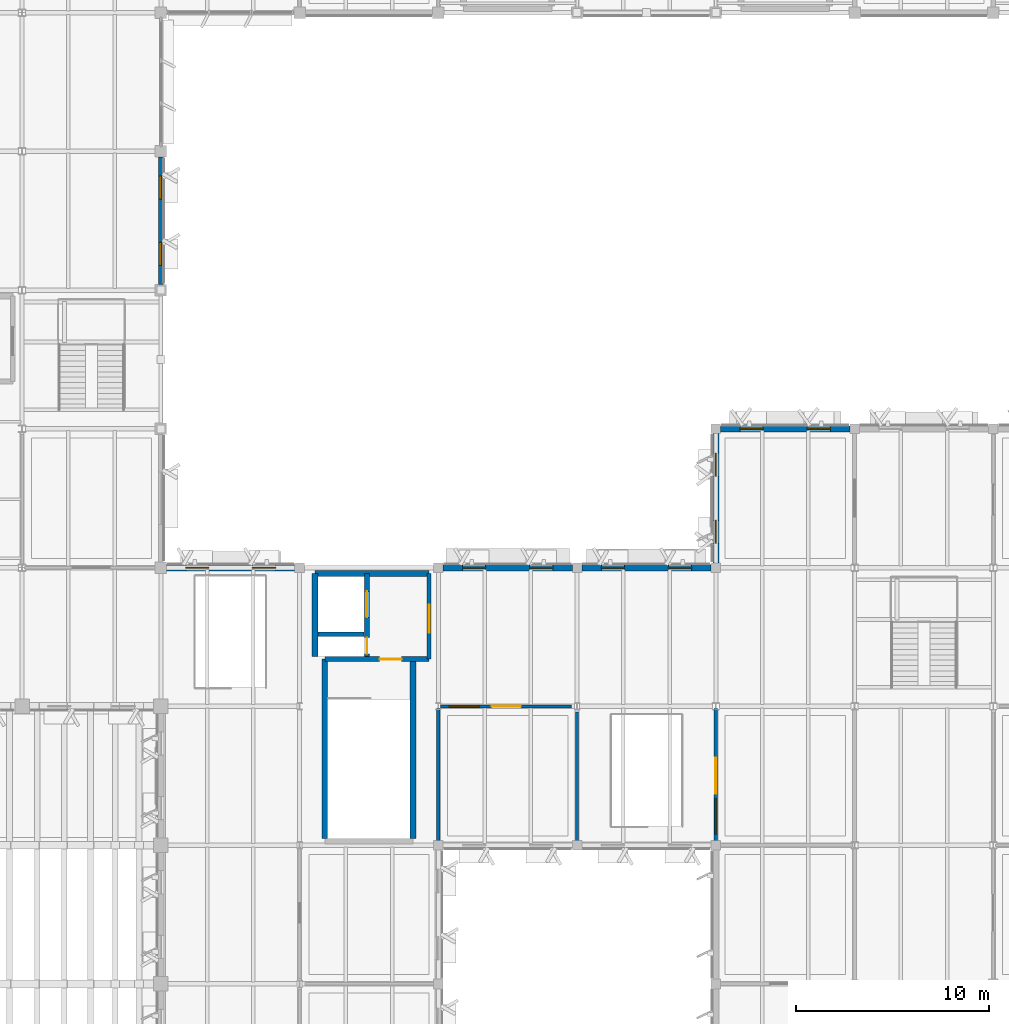
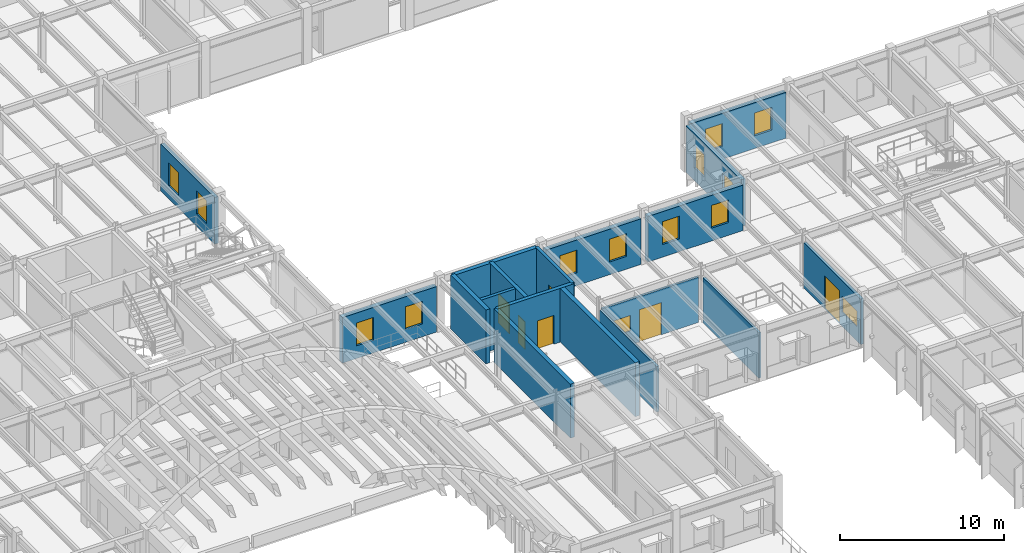
# One storey, part 34 of 85: 18 walls, 14 windows, 6 doors, 20 openings.
"""IFC4 building model written with IfcOpenShell, lengths in metres."""

from ifc_helpers import new_model, si_unit, direction, frame, frame_2d, origin, place, context, subcontext, project, spatial, rectangle, extrude, material, layer, layer_set, type_object, element, fill, save


model = new_model("IFC4")

# Units and contexts
model_context = context("Model", 3, precision=1e-05, world=origin(), true_north=direction((0.0, 1.0)))
body_context = subcontext(model_context, "Body", "Model", "MODEL_VIEW")
ifc_project = project(units=[si_unit("LENGTHUNIT", "METRE"), si_unit("AREAUNIT", "SQUARE_METRE"), si_unit("VOLUMEUNIT", "CUBIC_METRE"), si_unit("PLANEANGLEUNIT", "RADIAN"), si_unit("MASSUNIT", "GRAM", prefix="KILO")], contexts=[model_context])

# Site, building, storey
site_placement = place(None, origin())
site = spatial("IfcSite", under=ifc_project, at=site_placement, CompositionType="ELEMENT")
building_placement = place(site_placement, origin())
building = spatial("IfcBuilding", under=site, at=building_placement, Name="Sillqori Civic Hall", CompositionType="ELEMENT")
storey_placement = place(building_placement, frame((0.0, 0.0, 9.89990234375)))
storey = spatial("IfcBuildingStorey", under=building, at=storey_placement, Name="L03", CompositionType="ELEMENT", Elevation=9.89990234375)

# Wall
ifc_material_1 = material(Name="Concrete C35/45 (H35)", Category="concrete")
ifc_layer_1 = layer(ifc_material_1, 0.219970703125)
ifc_layer_set_1 = layer_set([ifc_layer_1], Name="Concrete C35/45 (H35)")
wall_type_1 = type_object("IfcWallType", Name="CW-SHR-220", PredefinedType="SHEAR", material=ifc_layer_set_1)
wall_1_placement = place(storey_placement, frame((44.14990234375, 46.949951171875, 0.0), z_axis=(0.0, 0.0, 1.0), x_axis=(1.0, 0.0, 0.0)))
element("IfcWall", 1, at=wall_1_placement, inside=storey, type_object=wall_type_1, Name="L03 C1 Lift-riser divider wall", PredefinedType="SHEAR", context=body_context, shape_type="SweptSolid", body=[
    extrude(rectangle(XDim=2.400146484375, YDim=0.219970703125, at=frame_2d((1.2001953125, 0.0))), origin(), (0.0, 0.0, 1.0), 4.02001953125),
])

# Wall, opening, door
wall_2_placement = place(storey_placement, frame((49.919921875, 50.10009765625, 0.0), z_axis=(0.0, 0.0, 1.0), x_axis=(0.0, -1.0, 0.0)))
wall_2 = element("IfcWall", 2, at=wall_2_placement, inside=storey, type_object=wall_type_1, Name="L03 C1 firefighting lobby enclosure wall", PredefinedType="SHEAR", context=body_context, shape_type="SweptSolid", body=[
    extrude(rectangle(XDim=4.4501953125, YDim=0.219970703125, at=frame_2d((2.22509765625, 0.0))), origin(), (0.0, 0.0, 1.0), 4.02001953125),
])
opening_1_placement = place(wall_2_placement, frame((1.625, 0.0, 0.0)))
opening_1 = element("IfcOpeningElement", 3, at=opening_1_placement, cuts=wall_2, Name="Opening FD-03", PredefinedType="OPENING", context=body_context, shape_type="SweptSolid", body=[
    extrude(rectangle(XDim=1.449951171875, YDim=2.199951171875, at=frame_2d((0.72509765625, 1.10009765625))), frame((0.0, 0.119873046875, 0.0), z_axis=(0.0, -1.0, 0.0), x_axis=(1.0, 0.0, 0.0)), (0.0, 0.0, 1.0), 0.239990234375),
])
ifc_material_2 = material(Name="Double-Leaf Smoke-Seal Lobby Door", Category="steel")
door_type_1 = type_object("IfcDoorType", Name="FDR-LOB-145X220", OperationType="NOTDEFINED", PredefinedType="DOOR", material=ifc_material_2)
door_1_placement = place(opening_1_placement, origin())
door_1 = element("IfcDoor", 4, at=door_1_placement, inside=storey, type_object=door_type_1, Name="L03 C1 firefighting lobby exit door", OperationType="DOUBLE_DOOR_SINGLE_SWING", OverallHeight=2.199951171875, OverallWidth=1.449951171875, PredefinedType="DOOR", context=body_context, shape_type="SweptSolid", body=[
    extrude(rectangle(XDim=1.449951171875, YDim=2.199951171875, at=frame_2d((0.72509765625, 1.10009765625))), frame((0.0, 0.02490234375, 0.0), z_axis=(0.0, -1.0, 0.0), x_axis=(1.0, 0.0, 0.0)), (0.0, 0.0, 1.0), 0.050048828125),
])
fill(opening_1, door_1)

ifc_layer_2 = layer(ifc_material_1, 0.260009765625)
ifc_layer_set_2 = layer_set([ifc_layer_2], Name="Concrete C35/45 (H35)")
wall_type_2 = type_object("IfcWallType", Name="CW-SHR-260", PredefinedType="SHEAR", material=ifc_layer_set_2)
wall_3_placement = place(storey_placement, frame((44.510009765625, 45.64990234375, 0.0), z_axis=(0.0, 0.0, 1.0), x_axis=(1.0, 0.0, 0.0)))
wall_3 = element("IfcWall", 5, at=wall_3_placement, inside=storey, type_object=wall_type_2, Name="L03 C1 Stair-lobby fire wall", PredefinedType="SHEAR", context=body_context, shape_type="SweptSolid", body=[
    extrude(rectangle(XDim=5.409912109375, YDim=0.260009765625, at=frame_2d((2.705078125, 0.0))), origin(), (0.0, 0.0, 1.0), 4.02001953125),
])
opening_2_placement = place(wall_3_placement, frame((2.840087890625, 0.0, 0.0)))
opening_2 = element("IfcOpeningElement", 6, at=opening_2_placement, cuts=wall_3, Name="Opening FD-01", PredefinedType="OPENING", context=body_context, shape_type="SweptSolid", body=[
    extrude(rectangle(XDim=1.14990234375, YDim=2.14990234375, at=frame_2d((0.574951171875, 1.074951171875))), frame((0.0, 0.139892578125, 0.0), z_axis=(0.0, -1.0, 0.0), x_axis=(1.0, 0.0, 0.0)), (0.0, 0.0, 1.0), 0.280029296875),
])
ifc_material_3 = material(Name="Galvanized Steel Fire Door FD90S", Category="steel")
door_type_2 = type_object("IfcDoorType", Name="FDR-STR-115X215", OperationType="NOTDEFINED", PredefinedType="DOOR", material=ifc_material_3)
door_2_placement = place(opening_2_placement, origin())
door_2 = element("IfcDoor", 7, at=door_2_placement, inside=storey, type_object=door_type_2, Name="L03 stair ST-01 fire door", OperationType="SINGLE_SWING_RIGHT", OverallHeight=2.14990234375, OverallWidth=1.14990234375, PredefinedType="DOOR", context=body_context, shape_type="SweptSolid", body=[
    extrude(rectangle(XDim=1.14990234375, YDim=2.14990234375, at=frame_2d((0.574951171875, 1.074951171875))), frame((0.0, 0.02490234375, 0.0), z_axis=(0.0, -1.0, 0.0), x_axis=(1.0, 0.0, 0.0)), (0.0, 0.0, 1.0), 0.050048828125),
])
fill(opening_2, door_2)

# Wall, openings, doors
wall_4_placement = place(storey_placement, frame((46.699951171875, 50.10009765625, 0.0), z_axis=(0.0, 0.0, 1.0), x_axis=(0.0, -1.0, 0.0)))
wall_4 = element("IfcWall", 8, at=wall_4_placement, inside=storey, type_object=wall_type_2, Name="L03 C1 Lift landing & riser front wall", PredefinedType="SHEAR", context=body_context, shape_type="SweptSolid", body=[
    extrude(rectangle(XDim=4.320068359375, YDim=0.260009765625, at=frame_2d((2.16015625, 0.0))), origin(), (0.0, 0.0, 1.0), 4.02001953125),
])
opening_3_placement = place(wall_4_placement, frame((0.925048828125, 0.0, 0.0)))
opening_3 = element("IfcOpeningElement", 9, at=opening_3_placement, cuts=wall_4, Name="Opening LD-03", PredefinedType="OPENING", context=body_context, shape_type="SweptSolid", body=[
    extrude(rectangle(XDim=1.35009765625, YDim=2.199951171875, at=frame_2d((0.675048828125, 1.10009765625))), frame((0.0, 0.139892578125, 0.0), z_axis=(0.0, -1.0, 0.0), x_axis=(1.0, 0.0, 0.0)), (0.0, 0.0, 1.0), 0.280029296875),
])
opening_4_placement = place(wall_4_placement, frame((3.324951171875, 0.0, 0.0)))
opening_4 = element("IfcOpeningElement", 10, at=opening_4_placement, cuts=wall_4, Name="Opening FD-05", PredefinedType="OPENING", context=body_context, shape_type="SweptSolid", body=[
    extrude(rectangle(XDim=0.85009765625, YDim=2.050048828125, at=frame_2d((0.425048828125, 1.02490234375))), frame((0.0, 0.139892578125, 0.0), z_axis=(0.0, -1.0, 0.0), x_axis=(1.0, 0.0, 0.0)), (0.0, 0.0, 1.0), 0.280029296875),
])
ifc_material_4 = material(Name="Steel Riser Access Fire Door", Category="steel")
door_type_3 = type_object("IfcDoorType", Name="FDR-RSR-085X205", OperationType="NOTDEFINED", PredefinedType="DOOR", material=ifc_material_4)
door_3_placement = place(opening_4_placement, origin())
door_3 = element("IfcDoor", 11, at=door_3_placement, inside=storey, type_object=door_type_3, Name="L03 MEP riser C1 fire access door", OperationType="SINGLE_SWING_LEFT", OverallHeight=2.050048828125, OverallWidth=0.85009765625, PredefinedType="DOOR", context=body_context, shape_type="SweptSolid", body=[
    extrude(rectangle(XDim=0.85009765625, YDim=2.050048828125, at=frame_2d((0.425048828125, 1.02490234375))), frame((0.0, 0.02490234375, 0.0), z_axis=(0.0, -1.0, 0.0), x_axis=(1.0, 0.0, 0.0)), (0.0, 0.0, 1.0), 0.050048828125),
])
fill(opening_4, door_3)
ifc_material_5 = material(Name="Service Freight Lift Landing Door", Category="steel")
door_type_4 = type_object("IfcDoorType", Name="LDR-SERV-135X220", OperationType="NOTDEFINED", PredefinedType="DOOR", material=ifc_material_5)
door_4_placement = place(opening_3_placement, origin())
door_4 = element("IfcDoor", 12, at=door_4_placement, inside=storey, type_object=door_type_4, Name="L03 lift LF-07 sliding landing door", OperationType="DOUBLE_DOOR_SLIDING", OverallHeight=2.199951171875, OverallWidth=1.35009765625, PredefinedType="DOOR", context=body_context, shape_type="SweptSolid", body=[
    extrude(rectangle(XDim=1.35009765625, YDim=2.199951171875, at=frame_2d((0.675048828125, 1.10009765625))), frame((0.0, 0.02490234375, 0.0), z_axis=(0.0, -1.0, 0.0), x_axis=(1.0, 0.0, 0.0)), (0.0, 0.0, 1.0), 0.050048828125),
])
fill(opening_3, door_4)

# Walls
ifc_layer_3 = layer(ifc_material_1, 0.300048828125)
ifc_layer_set_3 = layer_set([ifc_layer_3], Name="Concrete C35/45 (H35)")
wall_type_3 = type_object("IfcWallType", Name="CW-SHR-300", PredefinedType="SHEAR", material=ifc_layer_set_3)
for number, where, z_axis, x_axis, name in (
    (13, (44.510009765625, 36.35009765625, 0.0), (0.0, 0.0, 1.0), (0.0, 1.0, 0.0), "L03 C1 Stair west shear wall"),
    (14, (49.090087890625, 36.35009765625, 0.0), (0.0, 0.0, 1.0), (0.0, 1.0, 0.0), "L03 C1 Stair east shear wall"),
):
    element("IfcWall", number, at=place(storey_placement, frame(where, z_axis=z_axis, x_axis=x_axis)), inside=storey, type_object=wall_type_3, Name=name, PredefinedType="SHEAR", context=body_context, shape_type="SweptSolid", body=[
        extrude(rectangle(XDim=9.2998046875, YDim=0.300048828125, at=frame_2d((4.64990234375, 0.0))), origin(), (0.0, 0.0, 1.0), 4.02001953125),
    ])
wall_5_placement = place(storey_placement, frame((44.0, 45.780029296875, 0.0), z_axis=(0.0, 0.0, 1.0), x_axis=(0.0, 1.0, 0.0)))
element("IfcWall", 15, at=wall_5_placement, inside=storey, type_object=wall_type_3, Name="L03 C1 Lift shaft west shear wall", PredefinedType="SHEAR", context=body_context, shape_type="SweptSolid", body=[
    extrude(rectangle(XDim=4.320068359375, YDim=0.300048828125, at=frame_2d((2.16015625, 0.0))), origin(), (0.0, 0.0, 1.0), 4.02001953125),
])
wall_6_placement = place(storey_placement, frame((44.0, 50.10009765625, 0.0), z_axis=(0.0, 0.0, 1.0), x_axis=(1.0, 0.0, 0.0)))
element("IfcWall", 16, at=wall_6_placement, inside=storey, type_object=wall_type_3, Name="L03 C1 Core north shear wall", PredefinedType="SHEAR", context=body_context, shape_type="SweptSolid", body=[
    extrude(rectangle(XDim=5.919921875, YDim=0.300048828125, at=frame_2d((2.9599609375, 0.0))), origin(), (0.0, 0.0, 1.0), 4.02001953125),
])

# Wall, openings, windows
ifc_material_6 = material(Name="Precast concrete C40/50 (H40)", Category="concrete")
ifc_layer_4 = layer(ifc_material_6, 0.340087890625)
ifc_layer_set_4 = layer_set([ifc_layer_4], Name="Precast concrete C40/50 (H40)")
wall_type_4 = type_object("IfcWallType", Name="EW-ARC-340", PredefinedType="SOLIDWALL", material=ifc_layer_set_4)
wall_7_placement = place(storey_placement, frame((36.300048828125, 50.39990234375, 0.0), z_axis=(0.0, 0.0, 1.0), x_axis=(1.0, 0.0, 0.0)))
wall_7 = element("IfcWall", 17, at=wall_7_placement, inside=storey, type_object=wall_type_4, Name="L03 V1 exterior wall L03-05-06-N", PredefinedType="SOLIDWALL", context=body_context, shape_type="SweptSolid", body=[
    extrude(rectangle(XDim=6.64990234375, YDim=0.340087890625, at=frame_2d((3.324951171875, 0.0))), origin(), (0.0, 0.0, 1.0), 3.398193359375),
])
opening_5_placement = place(wall_7_placement, frame((0.99609375, 0.0, 0.949951171875)))
opening_5 = element("IfcOpeningElement", 18, at=opening_5_placement, cuts=wall_7, Name="Opening W-22", PredefinedType="OPENING", context=body_context, shape_type="SweptSolid", body=[
    extrude(rectangle(XDim=1.199951171875, YDim=1.699951171875, at=frame_2d((0.60009765625, 0.85009765625))), frame((0.0, 0.179931640625, 0.0), z_axis=(0.0, -1.0, 0.0), x_axis=(1.0, 0.0, 0.0)), (0.0, 0.0, 1.0), 0.360107421875),
])
opening_6_placement = place(wall_7_placement, frame((4.4541015625, 0.0, 0.949951171875)))
opening_6 = element("IfcOpeningElement", 19, at=opening_6_placement, cuts=wall_7, Name="Opening W-22", PredefinedType="OPENING", context=body_context, shape_type="SweptSolid", body=[
    extrude(rectangle(XDim=1.199951171875, YDim=1.699951171875, at=frame_2d((0.60009765625, 0.85009765625))), frame((0.0, 0.179931640625, 0.0), z_axis=(0.0, -1.0, 0.0), x_axis=(1.0, 0.0, 0.0)), (0.0, 0.0, 1.0), 0.360107421875),
])
ifc_material_7 = material(Name="Thermally Broken Aluminium Low-E Window", Category="aluminium")
window_type_1 = type_object("IfcWindowType", Name="WIN-V5-120X170", PartitioningType="SINGLE_PANEL", PredefinedType="WINDOW", material=ifc_material_7)
window_1_placement = place(opening_5_placement, origin())
window_1 = element("IfcWindow", 20, at=window_1_placement, inside=storey, type_object=window_type_1, Name="L03 V1 window L03-05-06-N.1", OverallHeight=1.699951171875, OverallWidth=1.199951171875, PartitioningType="SINGLE_PANEL", PredefinedType="WINDOW", context=body_context, shape_type="SweptSolid", body=[
    extrude(rectangle(XDim=1.199951171875, YDim=1.699951171875, at=frame_2d((0.60009765625, 0.85009765625))), frame((0.0, 0.030029296875, 0.0), z_axis=(0.0, -1.0, 0.0), x_axis=(1.0, 0.0, 0.0)), (0.0, 0.0, 1.0), 0.06005859375),
])
fill(opening_5, window_1)
window_2_placement = place(opening_6_placement, origin())
window_2 = element("IfcWindow", 21, at=window_2_placement, inside=storey, type_object=window_type_1, Name="L03 V1 window L03-05-06-N.2", OverallHeight=1.699951171875, OverallWidth=1.199951171875, PartitioningType="SINGLE_PANEL", PredefinedType="WINDOW", context=body_context, shape_type="SweptSolid", body=[
    extrude(rectangle(XDim=1.199951171875, YDim=1.699951171875, at=frame_2d((0.60009765625, 0.85009765625))), frame((0.0, 0.030029296875, 0.0), z_axis=(0.0, -1.0, 0.0), x_axis=(1.0, 0.0, 0.0)), (0.0, 0.0, 1.0), 0.06005859375),
])
fill(opening_6, window_2)

wall_8_placement = place(storey_placement, frame((50.64990234375, 50.39990234375, 0.0), z_axis=(0.0, 0.0, 1.0), x_axis=(1.0, 0.0, 0.0)))
wall_8 = element("IfcWall", 22, at=wall_8_placement, inside=storey, type_object=wall_type_4, Name="L03 V1 exterior wall L03-07-06-N", PredefinedType="SOLIDWALL", context=body_context, shape_type="SweptSolid", body=[
    extrude(rectangle(XDim=6.7001953125, YDim=0.340087890625, at=frame_2d((3.35009765625, 0.0))), origin(), (0.0, 0.0, 1.0), 3.398193359375),
])
opening_7_placement = place(wall_8_placement, frame((1.008056640625, 0.0, 0.949951171875)))
opening_7 = element("IfcOpeningElement", 23, at=opening_7_placement, cuts=wall_8, Name="Opening W-22", PredefinedType="OPENING", context=body_context, shape_type="SweptSolid", body=[
    extrude(rectangle(XDim=1.199951171875, YDim=1.699951171875, at=frame_2d((0.60009765625, 0.85009765625))), frame((0.0, 0.179931640625, 0.0), z_axis=(0.0, -1.0, 0.0), x_axis=(1.0, 0.0, 0.0)), (0.0, 0.0, 1.0), 0.360107421875),
])
opening_8_placement = place(wall_8_placement, frame((4.491943359375, 0.0, 0.949951171875)))
opening_8 = element("IfcOpeningElement", 24, at=opening_8_placement, cuts=wall_8, Name="Opening W-22", PredefinedType="OPENING", context=body_context, shape_type="SweptSolid", body=[
    extrude(rectangle(XDim=1.199951171875, YDim=1.699951171875, at=frame_2d((0.60009765625, 0.85009765625))), frame((0.0, 0.179931640625, 0.0), z_axis=(0.0, -1.0, 0.0), x_axis=(1.0, 0.0, 0.0)), (0.0, 0.0, 1.0), 0.360107421875),
])
window_3_placement = place(opening_7_placement, origin())
window_3 = element("IfcWindow", 25, at=window_3_placement, inside=storey, type_object=window_type_1, Name="L03 V1 window L03-07-06-N.1", OverallHeight=1.699951171875, OverallWidth=1.199951171875, PartitioningType="SINGLE_PANEL", PredefinedType="WINDOW", context=body_context, shape_type="SweptSolid", body=[
    extrude(rectangle(XDim=1.199951171875, YDim=1.699951171875, at=frame_2d((0.60009765625, 0.85009765625))), frame((0.0, 0.030029296875, 0.0), z_axis=(0.0, -1.0, 0.0), x_axis=(1.0, 0.0, 0.0)), (0.0, 0.0, 1.0), 0.06005859375),
])
fill(opening_7, window_3)
window_4_placement = place(opening_8_placement, origin())
window_4 = element("IfcWindow", 26, at=window_4_placement, inside=storey, type_object=window_type_1, Name="L03 V1 window L03-07-06-N.2", OverallHeight=1.699951171875, OverallWidth=1.199951171875, PartitioningType="SINGLE_PANEL", PredefinedType="WINDOW", context=body_context, shape_type="SweptSolid", body=[
    extrude(rectangle(XDim=1.199951171875, YDim=1.699951171875, at=frame_2d((0.60009765625, 0.85009765625))), frame((0.0, 0.030029296875, 0.0), z_axis=(0.0, -1.0, 0.0), x_axis=(1.0, 0.0, 0.0)), (0.0, 0.0, 1.0), 0.06005859375),
])
fill(opening_8, window_4)

wall_9_placement = place(storey_placement, frame((57.85009765625, 50.39990234375, 0.0), z_axis=(0.0, 0.0, 1.0), x_axis=(1.0, 0.0, 0.0)))
wall_9 = element("IfcWall", 27, at=wall_9_placement, inside=storey, type_object=wall_type_4, Name="L03 V1 exterior wall L03-08-06-N", PredefinedType="SOLIDWALL", context=body_context, shape_type="SweptSolid", body=[
    extrude(rectangle(XDim=6.699951171875, YDim=0.340087890625, at=frame_2d((3.35009765625, 0.0))), origin(), (0.0, 0.0, 1.0), 3.398193359375),
])
opening_9_placement = place(wall_9_placement, frame((1.008056640625, 0.0, 0.949951171875)))
opening_9 = element("IfcOpeningElement", 28, at=opening_9_placement, cuts=wall_9, Name="Opening W-22", PredefinedType="OPENING", context=body_context, shape_type="SweptSolid", body=[
    extrude(rectangle(XDim=1.199951171875, YDim=1.699951171875, at=frame_2d((0.60009765625, 0.85009765625))), frame((0.0, 0.179931640625, 0.0), z_axis=(0.0, -1.0, 0.0), x_axis=(1.0, 0.0, 0.0)), (0.0, 0.0, 1.0), 0.360107421875),
])
opening_10_placement = place(wall_9_placement, frame((4.491943359375, 0.0, 0.949951171875)))
opening_10 = element("IfcOpeningElement", 29, at=opening_10_placement, cuts=wall_9, Name="Opening W-22", PredefinedType="OPENING", context=body_context, shape_type="SweptSolid", body=[
    extrude(rectangle(XDim=1.199951171875, YDim=1.699951171875, at=frame_2d((0.60009765625, 0.85009765625))), frame((0.0, 0.179931640625, 0.0), z_axis=(0.0, -1.0, 0.0), x_axis=(1.0, 0.0, 0.0)), (0.0, 0.0, 1.0), 0.360107421875),
])
window_5_placement = place(opening_9_placement, origin())
window_5 = element("IfcWindow", 30, at=window_5_placement, inside=storey, type_object=window_type_1, Name="L03 V1 window L03-08-06-N.1", OverallHeight=1.699951171875, OverallWidth=1.199951171875, PartitioningType="SINGLE_PANEL", PredefinedType="WINDOW", context=body_context, shape_type="SweptSolid", body=[
    extrude(rectangle(XDim=1.199951171875, YDim=1.699951171875, at=frame_2d((0.60009765625, 0.85009765625))), frame((0.0, 0.030029296875, 0.0), z_axis=(0.0, -1.0, 0.0), x_axis=(1.0, 0.0, 0.0)), (0.0, 0.0, 1.0), 0.06005859375),
])
fill(opening_9, window_5)
window_6_placement = place(opening_10_placement, origin())
window_6 = element("IfcWindow", 31, at=window_6_placement, inside=storey, type_object=window_type_1, Name="L03 V1 window L03-08-06-N.2", OverallHeight=1.699951171875, OverallWidth=1.199951171875, PartitioningType="SINGLE_PANEL", PredefinedType="WINDOW", context=body_context, shape_type="SweptSolid", body=[
    extrude(rectangle(XDim=1.199951171875, YDim=1.699951171875, at=frame_2d((0.60009765625, 0.85009765625))), frame((0.0, 0.030029296875, 0.0), z_axis=(0.0, -1.0, 0.0), x_axis=(1.0, 0.0, 0.0)), (0.0, 0.0, 1.0), 0.06005859375),
])
fill(opening_10, window_6)

ifc_layer_5 = layer(ifc_material_6, 0.320068359375)
ifc_layer_set_5 = layer_set([ifc_layer_5], Name="Precast concrete C40/50 (H40)")
wall_type_5 = type_object("IfcWallType", Name="EW-LIME-320", PredefinedType="SOLIDWALL", material=ifc_layer_set_5)
wall_10_placement = place(storey_placement, frame((65.050048828125, 57.60009765625, 0.0), z_axis=(0.0, 0.0, 1.0), x_axis=(1.0, 0.0, 0.0)))
wall_10 = element("IfcWall", 32, at=wall_10_placement, inside=storey, type_object=wall_type_5, Name="L03 V2 exterior wall L03-09-07-N", PredefinedType="SOLIDWALL", context=body_context, shape_type="SweptSolid", body=[
    extrude(rectangle(XDim=6.699951171875, YDim=0.320068359375, at=frame_2d((3.35009765625, 0.0))), origin(), (0.0, 0.0, 1.0), 3.418212890625),
])
opening_11_placement = place(wall_10_placement, frame((1.008056640625, 0.0, 0.949951171875)))
opening_11 = element("IfcOpeningElement", 33, at=opening_11_placement, cuts=wall_10, Name="Opening W-22", PredefinedType="OPENING", context=body_context, shape_type="SweptSolid", body=[
    extrude(rectangle(XDim=1.199951171875, YDim=1.699951171875, at=frame_2d((0.60009765625, 0.85009765625))), frame((0.0, 0.169921875, 0.0), z_axis=(0.0, -1.0, 0.0), x_axis=(1.0, 0.0, 0.0)), (0.0, 0.0, 1.0), 0.340087890625),
])
opening_12_placement = place(wall_10_placement, frame((4.491943359375, 0.0, 0.949951171875)))
opening_12 = element("IfcOpeningElement", 34, at=opening_12_placement, cuts=wall_10, Name="Opening W-22", PredefinedType="OPENING", context=body_context, shape_type="SweptSolid", body=[
    extrude(rectangle(XDim=1.199951171875, YDim=1.699951171875, at=frame_2d((0.60009765625, 0.85009765625))), frame((0.0, 0.169921875, 0.0), z_axis=(0.0, -1.0, 0.0), x_axis=(1.0, 0.0, 0.0)), (0.0, 0.0, 1.0), 0.340087890625),
])
window_7_placement = place(opening_11_placement, origin())
window_7 = element("IfcWindow", 35, at=window_7_placement, inside=storey, type_object=window_type_1, Name="L03 V2 window L03-09-07-N.1", OverallHeight=1.699951171875, OverallWidth=1.199951171875, PartitioningType="SINGLE_PANEL", PredefinedType="WINDOW", context=body_context, shape_type="SweptSolid", body=[
    extrude(rectangle(XDim=1.199951171875, YDim=1.699951171875, at=frame_2d((0.60009765625, 0.85009765625))), frame((0.0, 0.030029296875, 0.0), z_axis=(0.0, -1.0, 0.0), x_axis=(1.0, 0.0, 0.0)), (0.0, 0.0, 1.0), 0.06005859375),
])
fill(opening_11, window_7)
window_8_placement = place(opening_12_placement, origin())
window_8 = element("IfcWindow", 36, at=window_8_placement, inside=storey, type_object=window_type_1, Name="L03 V2 window L03-09-07-N.2", OverallHeight=1.699951171875, OverallWidth=1.199951171875, PartitioningType="SINGLE_PANEL", PredefinedType="WINDOW", context=body_context, shape_type="SweptSolid", body=[
    extrude(rectangle(XDim=1.199951171875, YDim=1.699951171875, at=frame_2d((0.60009765625, 0.85009765625))), frame((0.0, 0.030029296875, 0.0), z_axis=(0.0, -1.0, 0.0), x_axis=(1.0, 0.0, 0.0)), (0.0, 0.0, 1.0), 0.06005859375),
])
fill(opening_12, window_8)

wall_11_placement = place(storey_placement, frame((64.800048828125, 50.64990234375, 0.0), z_axis=(0.0, 0.0, 1.0), x_axis=(0.0, 1.0, 0.0)))
wall_11 = element("IfcWall", 37, at=wall_11_placement, inside=storey, type_object=wall_type_5, Name="L03 V2 exterior wall L03-09-07-W", PredefinedType="SOLIDWALL", context=body_context, shape_type="SweptSolid", body=[
    extrude(rectangle(XDim=6.7001953125, YDim=0.320068359375, at=frame_2d((3.35009765625, 0.0))), origin(), (0.0, 0.0, 1.0), 3.487060546875),
])
opening_13_placement = place(wall_11_placement, frame((1.008056640625, 0.0, 0.949951171875)))
opening_13 = element("IfcOpeningElement", 38, at=opening_13_placement, cuts=wall_11, Name="Opening W-22", PredefinedType="OPENING", context=body_context, shape_type="SweptSolid", body=[
    extrude(rectangle(XDim=1.199951171875, YDim=1.699951171875, at=frame_2d((0.60009765625, 0.85009765625))), frame((0.0, 0.169921875, 0.0), z_axis=(0.0, -1.0, 0.0), x_axis=(1.0, 0.0, 0.0)), (0.0, 0.0, 1.0), 0.340087890625),
])
opening_14_placement = place(wall_11_placement, frame((4.491943359375, 0.0, 0.949951171875)))
opening_14 = element("IfcOpeningElement", 39, at=opening_14_placement, cuts=wall_11, Name="Opening W-22", PredefinedType="OPENING", context=body_context, shape_type="SweptSolid", body=[
    extrude(rectangle(XDim=1.199951171875, YDim=1.699951171875, at=frame_2d((0.60009765625, 0.85009765625))), frame((0.0, 0.169921875, 0.0), z_axis=(0.0, -1.0, 0.0), x_axis=(1.0, 0.0, 0.0)), (0.0, 0.0, 1.0), 0.340087890625),
])
window_9_placement = place(opening_13_placement, origin())
window_9 = element("IfcWindow", 40, at=window_9_placement, inside=storey, type_object=window_type_1, Name="L03 V2 window L03-09-07-W.1", OverallHeight=1.699951171875, OverallWidth=1.199951171875, PartitioningType="SINGLE_PANEL", PredefinedType="WINDOW", context=body_context, shape_type="SweptSolid", body=[
    extrude(rectangle(XDim=1.199951171875, YDim=1.699951171875, at=frame_2d((0.60009765625, 0.85009765625))), frame((0.0, 0.030029296875, 0.0), z_axis=(0.0, -1.0, 0.0), x_axis=(1.0, 0.0, 0.0)), (0.0, 0.0, 1.0), 0.06005859375),
])
fill(opening_13, window_9)
window_10_placement = place(opening_14_placement, origin())
window_10 = element("IfcWindow", 41, at=window_10_placement, inside=storey, type_object=window_type_1, Name="L03 V2 window L03-09-07-W.2", OverallHeight=1.699951171875, OverallWidth=1.199951171875, PartitioningType="SINGLE_PANEL", PredefinedType="WINDOW", context=body_context, shape_type="SweptSolid", body=[
    extrude(rectangle(XDim=1.199951171875, YDim=1.699951171875, at=frame_2d((0.60009765625, 0.85009765625))), frame((0.0, 0.030029296875, 0.0), z_axis=(0.0, -1.0, 0.0), x_axis=(1.0, 0.0, 0.0)), (0.0, 0.0, 1.0), 0.06005859375),
])
fill(opening_14, window_10)

ifc_material_8 = material(Name="Concrete C30/37 (H30)", Category="concrete")
ifc_layer_6 = layer(ifc_material_8, 0.260009765625)
ifc_layer_set_6 = layer_set([ifc_layer_6], Name="Concrete C30/37 (H30)")
wall_type_6 = type_object("IfcWallType", Name="EW-MAS-260", PredefinedType="SOLIDWALL", material=ifc_layer_set_6)
wall_12_placement = place(storey_placement, frame((36.0, 71.699951171875, 0.0), z_axis=(0.0, 0.0, 1.0), x_axis=(0.0, -1.0, 0.0)))
wall_12 = element("IfcWall", 42, at=wall_12_placement, inside=storey, type_object=wall_type_6, Name="L03 V5 exterior wall L03-04-09-E", PredefinedType="SOLIDWALL", context=body_context, shape_type="SweptSolid", body=[
    extrude(rectangle(XDim=6.599853515625, YDim=0.260009765625, at=frame_2d((3.2998046875, 0.0))), origin(), (0.0, 0.0, 1.0), 3.487060546875),
])
opening_15_placement = place(wall_12_placement, frame((0.98388671875, 0.0, 0.949951171875)))
opening_15 = element("IfcOpeningElement", 43, at=opening_15_placement, cuts=wall_12, Name="Opening W-22", PredefinedType="OPENING", context=body_context, shape_type="SweptSolid", body=[
    extrude(rectangle(XDim=1.199951171875, YDim=1.699951171875, at=frame_2d((0.60009765625, 0.85009765625))), frame((0.0, 0.139892578125, 0.0), z_axis=(0.0, -1.0, 0.0), x_axis=(1.0, 0.0, 0.0)), (0.0, 0.0, 1.0), 0.280029296875),
])
opening_16_placement = place(wall_12_placement, frame((4.416015625, 0.0, 0.949951171875)))
opening_16 = element("IfcOpeningElement", 44, at=opening_16_placement, cuts=wall_12, Name="Opening W-22", PredefinedType="OPENING", context=body_context, shape_type="SweptSolid", body=[
    extrude(rectangle(XDim=1.199951171875, YDim=1.699951171875, at=frame_2d((0.60009765625, 0.85009765625))), frame((0.0, 0.139892578125, 0.0), z_axis=(0.0, -1.0, 0.0), x_axis=(1.0, 0.0, 0.0)), (0.0, 0.0, 1.0), 0.280029296875),
])
window_11_placement = place(opening_15_placement, origin())
window_11 = element("IfcWindow", 45, at=window_11_placement, inside=storey, type_object=window_type_1, Name="L03 V5 window L03-04-09-E.1", OverallHeight=1.699951171875, OverallWidth=1.199951171875, PartitioningType="SINGLE_PANEL", PredefinedType="WINDOW", context=body_context, shape_type="SweptSolid", body=[
    extrude(rectangle(XDim=1.199951171875, YDim=1.699951171875, at=frame_2d((0.60009765625, 0.85009765625))), frame((0.0, 0.030029296875, 0.0), z_axis=(0.0, -1.0, 0.0), x_axis=(1.0, 0.0, 0.0)), (0.0, 0.0, 1.0), 0.06005859375),
])
fill(opening_15, window_11)
window_12_placement = place(opening_16_placement, origin())
window_12 = element("IfcWindow", 46, at=window_12_placement, inside=storey, type_object=window_type_1, Name="L03 V5 window L03-04-09-E.2", OverallHeight=1.699951171875, OverallWidth=1.199951171875, PartitioningType="SINGLE_PANEL", PredefinedType="WINDOW", context=body_context, shape_type="SweptSolid", body=[
    extrude(rectangle(XDim=1.199951171875, YDim=1.699951171875, at=frame_2d((0.60009765625, 0.85009765625))), frame((0.0, 0.030029296875, 0.0), z_axis=(0.0, -1.0, 0.0), x_axis=(1.0, 0.0, 0.0)), (0.0, 0.0, 1.0), 0.06005859375),
])
fill(opening_16, window_12)

# Wall, openings, door, window
ifc_material_9 = material(Name="Concrete C25/30 (H25)", Category="concrete")
ifc_layer_7 = layer(ifc_material_9, 0.1650390625)
ifc_layer_set_7 = layer_set([ifc_layer_7], Name="Concrete C25/30 (H25)")
wall_type_7 = type_object("IfcWallType", Name="PT-MAS-165", PredefinedType="PARTITIONING", material=ifc_layer_set_7)
wall_13_placement = place(storey_placement, frame((50.52001953125, 43.199951171875, 0.0), z_axis=(0.0, 0.0, 1.0), x_axis=(1.0, 0.0, 0.0)))
wall_13 = element("IfcWall", 47, at=wall_13_placement, inside=storey, type_object=wall_type_7, Name="Legislative Stenography and Hansard Office partition N1", PredefinedType="PARTITIONING", context=body_context, shape_type="SweptSolid", body=[
    extrude(rectangle(XDim=6.800048828125, YDim=0.1650390625, at=frame_2d((3.39990234375, 0.0))), origin(), (0.0, 0.0, 1.0), 3.38818359375),
])
opening_17_placement = place(wall_13_placement, frame((2.639892578125, 0.0, 0.0)))
opening_17 = element("IfcOpeningElement", 48, at=opening_17_placement, cuts=wall_13, Name="Opening ID-17", PredefinedType="OPENING", context=body_context, shape_type="SweptSolid", body=[
    extrude(rectangle(XDim=1.52001953125, YDim=2.39990234375, at=frame_2d((0.760009765625, 1.199951171875))), frame((0.0, 0.092529296875, 0.0), z_axis=(0.0, -1.0, 0.0), x_axis=(1.0, 0.0, 0.0)), (0.0, 0.0, 1.0), 0.18505859375),
])
opening_18_placement = place(wall_13_placement, frame((0.449951171875, 0.0, 1.050048828125)))
opening_18 = element("IfcOpeningElement", 49, at=opening_18_placement, cuts=wall_13, Name="Opening IW-11", PredefinedType="OPENING", context=body_context, shape_type="SweptSolid", body=[
    extrude(rectangle(XDim=1.550048828125, YDim=1.14990234375, at=frame_2d((0.77490234375, 0.574951171875))), frame((0.0, 0.092529296875, 0.0), z_axis=(0.0, -1.0, 0.0), x_axis=(1.0, 0.0, 0.0)), (0.0, 0.0, 1.0), 0.18505859375),
])
ifc_material_10 = material(Name="Mayoral Suite Ceremonial Door", Category="timber")
door_type_5 = type_object("IfcDoorType", Name="IDR-MAY-152X240", OperationType="NOTDEFINED", PredefinedType="DOOR", material=ifc_material_10)
door_5_placement = place(opening_17_placement, origin())
door_5 = element("IfcDoor", 50, at=door_5_placement, inside=storey, type_object=door_type_5, Name="Legislative Stenography and Hansard Office entrance door", OperationType="DOUBLE_DOOR_SINGLE_SWING", OverallHeight=2.39990234375, OverallWidth=1.52001953125, PredefinedType="DOOR", context=body_context, shape_type="SweptSolid", body=[
    extrude(rectangle(XDim=1.52001953125, YDim=2.39990234375, at=frame_2d((0.760009765625, 1.199951171875))), frame((0.0, 0.02490234375, 0.0), z_axis=(0.0, -1.0, 0.0), x_axis=(1.0, 0.0, 0.0)), (0.0, 0.0, 1.0), 0.050048828125),
])
fill(opening_17, door_5)
ifc_material_11 = material(Name="Acoustic Laminated Interior Clerestory Glazing", Category="glass")
window_type_2 = type_object("IfcWindowType", Name="IWN-STU-155X115", PartitioningType="SINGLE_PANEL", PredefinedType="WINDOW", material=ifc_material_11)
window_13_placement = place(opening_18_placement, origin())
window_13 = element("IfcWindow", 51, at=window_13_placement, inside=storey, type_object=window_type_2, Name="Legislative Stenography and Hansard Office borrowed-light screen", OverallHeight=1.14990234375, OverallWidth=1.550048828125, PartitioningType="SINGLE_PANEL", PredefinedType="WINDOW", context=body_context, shape_type="SweptSolid", body=[
    extrude(rectangle(XDim=1.550048828125, YDim=1.14990234375, at=frame_2d((0.77490234375, 0.574951171875))), frame((0.0, 0.030029296875, 0.0), z_axis=(0.0, -1.0, 0.0), x_axis=(1.0, 0.0, 0.0)), (0.0, 0.0, 1.0), 0.06005859375),
])
fill(opening_18, window_13)

# Walls
wall_14_placement = place(storey_placement, frame((50.39990234375, 36.1201171875, 0.0), z_axis=(0.0, 0.0, 1.0), x_axis=(0.0, 1.0, 0.0)))
element("IfcWall", 52, at=wall_14_placement, inside=storey, type_object=wall_type_7, Name="Legislative Stenography and Hansard Office partition W2", PredefinedType="PARTITIONING", context=body_context, shape_type="SweptSolid", body=[
    extrude(rectangle(XDim=6.9599609375, YDim=0.1650390625, at=frame_2d((3.47998046875, 0.0))), origin(), (0.0, 0.0, 1.0), 3.38818359375),
])
wall_15_placement = place(storey_placement, frame((57.60009765625, 42.919921875, 0.0), z_axis=(0.0, 0.0, 1.0), x_axis=(0.0, -1.0, 0.0)))
element("IfcWall", 53, at=wall_15_placement, inside=storey, type_object=wall_type_7, Name="Legislative Stenography and Hansard Office partition E3", PredefinedType="PARTITIONING", context=body_context, shape_type="SweptSolid", body=[
    extrude(rectangle(XDim=6.7998046875, YDim=0.1650390625, at=frame_2d((3.39990234375, 0.0))), origin(), (0.0, 0.0, 1.0), 3.38818359375),
])

# Wall, openings, door, window
ifc_layer_8 = layer(ifc_material_9, 0.196044921875)
ifc_layer_set_8 = layer_set([ifc_layer_8], Name="Concrete C25/30 (H25)")
wall_type_8 = type_object("IfcWallType", Name="PT-MAS-196", PredefinedType="PARTITIONING", material=ifc_layer_set_8)
wall_16_placement = place(storey_placement, frame((64.800048828125, 36.1201171875, 0.0), z_axis=(0.0, 0.0, 1.0), x_axis=(0.0, 1.0, 0.0)))
wall_16 = element("IfcWall", 54, at=wall_16_placement, inside=storey, type_object=wall_type_8, Name="Public Digital Services Lab partition W3", PredefinedType="PARTITIONING", context=body_context, shape_type="SweptSolid", body=[
    extrude(rectangle(XDim=6.9599609375, YDim=0.196044921875, at=frame_2d((3.47998046875, 0.0))), origin(), (0.0, 0.0, 1.0), 3.38818359375),
])
opening_19_placement = place(wall_16_placement, frame((2.554931640625, 0.0, 0.0)))
opening_19 = element("IfcOpeningElement", 55, at=opening_19_placement, cuts=wall_16, Name="Opening ID-05", PredefinedType="OPENING", context=body_context, shape_type="SweptSolid", body=[
    extrude(rectangle(XDim=1.85009765625, YDim=2.449951171875, at=frame_2d((0.925048828125, 1.22509765625))), frame((0.0, 0.10791015625, 0.0), z_axis=(0.0, -1.0, 0.0), x_axis=(1.0, 0.0, 0.0)), (0.0, 0.0, 1.0), 0.216064453125),
])
opening_20_placement = place(wall_16_placement, frame((0.449951171875, 0.0, 1.050048828125)))
opening_20 = element("IfcOpeningElement", 56, at=opening_20_placement, cuts=wall_16, Name="Opening IW-15", PredefinedType="OPENING", context=body_context, shape_type="SweptSolid", body=[
    extrude(rectangle(XDim=1.85009765625, YDim=1.179931640625, at=frame_2d((0.925048828125, 0.58984375))), frame((0.0, 0.10791015625, 0.0), z_axis=(0.0, -1.0, 0.0), x_axis=(1.0, 0.0, 0.0)), (0.0, 0.0, 1.0), 0.216064453125),
])
ifc_material_12 = material(Name="Citizens Counter Glazed Double Door", Category="aluminium")
door_type_6 = type_object("IfcDoorType", Name="IDR-CSC-185X245", OperationType="NOTDEFINED", PredefinedType="DOOR", material=ifc_material_12)
door_6_placement = place(opening_19_placement, origin())
door_6 = element("IfcDoor", 57, at=door_6_placement, inside=storey, type_object=door_type_6, Name="Public Digital Services Lab entrance door", OperationType="DOUBLE_DOOR_SINGLE_SWING", OverallHeight=2.449951171875, OverallWidth=1.85009765625, PredefinedType="DOOR", context=body_context, shape_type="SweptSolid", body=[
    extrude(rectangle(XDim=1.85009765625, YDim=2.449951171875, at=frame_2d((0.925048828125, 1.22509765625))), frame((0.0, 0.02490234375, 0.0), z_axis=(0.0, -1.0, 0.0), x_axis=(1.0, 0.0, 0.0)), (0.0, 0.0, 1.0), 0.050048828125),
])
fill(opening_19, door_6)
window_type_3 = type_object("IfcWindowType", Name="IWN-STU-185X118", PartitioningType="SINGLE_PANEL", PredefinedType="WINDOW", material=ifc_material_11)
window_14_placement = place(opening_20_placement, origin())
window_14 = element("IfcWindow", 58, at=window_14_placement, inside=storey, type_object=window_type_3, Name="Public Digital Services Lab borrowed-light screen", OverallHeight=1.179931640625, OverallWidth=1.85009765625, PartitioningType="SINGLE_PANEL", PredefinedType="WINDOW", context=body_context, shape_type="SweptSolid", body=[
    extrude(rectangle(XDim=1.85009765625, YDim=1.179931640625, at=frame_2d((0.925048828125, 0.58984375))), frame((0.0, 0.030029296875, 0.0), z_axis=(0.0, -1.0, 0.0), x_axis=(1.0, 0.0, 0.0)), (0.0, 0.0, 1.0), 0.06005859375),
])
fill(opening_20, window_14)

save(model, "model.ifc")
